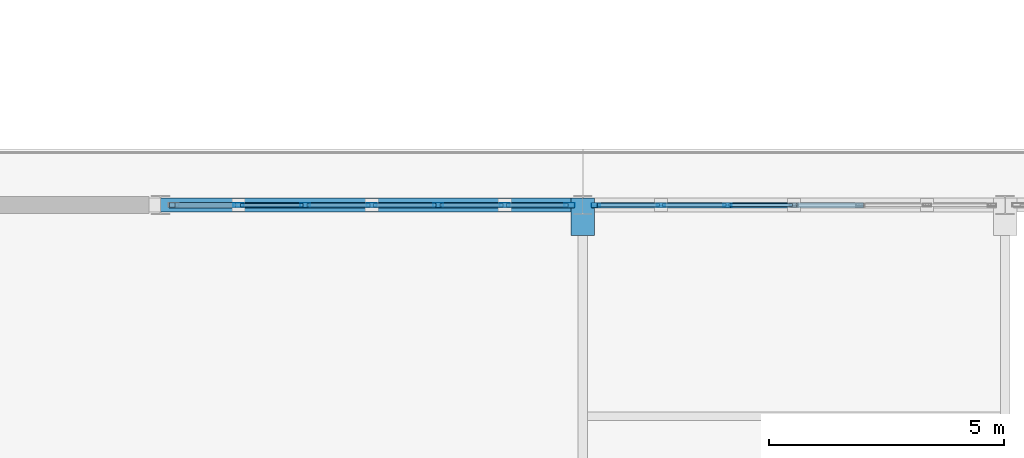
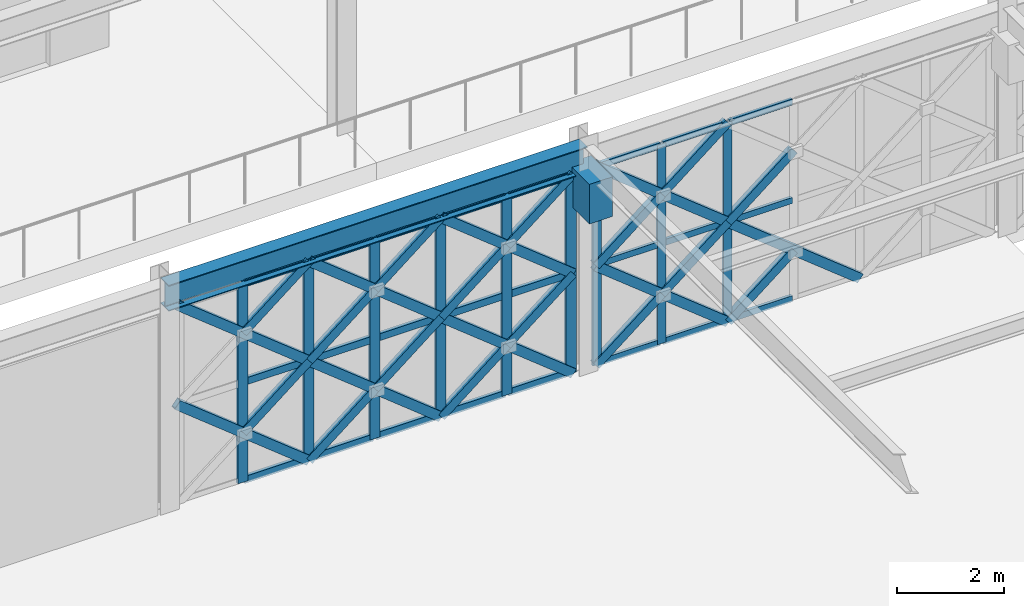
# One storey, part 88 of 140: 58 members, 2 beams, 2 elements without a shape of their own.
"""IFC4 building model written with IfcOpenShell, lengths in metres."""

from ifc_helpers import new_model, si_unit, direction, frame, origin, origin_2d, place, context, subcontext, project, spatial, rectangle, hollow_rectangle, i_section, extrude, material, material_profile, profile_set, type_object, element, aggregate, save


model = new_model("IFC4")

# Units and contexts
model_context = context("Model", 3, precision=1e-05, world=origin(), true_north=direction((0.0, 1.0)))
body_context = subcontext(model_context, "Body", "Model", "MODEL_VIEW")
ifc_project = project(units=[si_unit("LENGTHUNIT", "METRE"), si_unit("AREAUNIT", "SQUARE_METRE"), si_unit("VOLUMEUNIT", "CUBIC_METRE"), si_unit("PLANEANGLEUNIT", "RADIAN"), si_unit("MASSUNIT", "GRAM", prefix="KILO")], contexts=[model_context])

# Site, building, storey
site_placement = place(None, origin())
site = spatial("IfcSite", under=ifc_project, at=site_placement, CompositionType="ELEMENT")
building_placement = place(site_placement, origin())
building = spatial("IfcBuilding", under=site, at=building_placement, Name="Haizhuo Lancet Aquarium", CompositionType="ELEMENT")
storey_placement = place(building_placement, origin())
storey = spatial("IfcBuildingStorey", under=building, at=storey_placement, Name="L00", CompositionType="ELEMENT", Elevation=0.0)

# Beams
ifc_material_1 = material(Name="Concrete C40/50", Category="concrete")
ifc_material_profile_1 = material_profile(ifc_material_1, rectangle(XDim=0.5, YDim=0.89990234375, at=origin_2d()), Name="RC-BM 500x900")
ifc_profile_set_1 = profile_set([ifc_material_profile_1], Name="Concrete C40/50")
beam_type_1 = type_object("IfcBeamType", Name="BM-RC-500x900", PredefinedType="BEAM", material=ifc_profile_set_1)
beam_1_placement = place(storey_placement, frame((54.0, 9.14990234375, 4.205078125), z_axis=(0.0, -1.0, 0.0), x_axis=(1.0, 0.0, 0.0)))
element("IfcBeam", 1, at=beam_1_placement, inside=storey, type_object=beam_type_1, Name="Reinforced concrete bridge bearing corbel SB-02 1N", PredefinedType="BEAM", context=body_context, shape_type="SweptSolid", body=[
    extrude(rectangle(XDim=0.5, YDim=0.89990234375, at=origin_2d()), origin(), (0.0, 0.0, 1.0), 0.7998046875),
])
ifc_material_2 = material(Name="Steel S355", Category="steel")
ifc_material_profile_2 = material_profile(ifc_material_2, i_section(OverallWidth=0.300048828125, OverallDepth=0.587890625, WebThickness=0.011962890625, FlangeThickness=0.02001953125, FilletRadius=0.02587890625, at=origin_2d()), Name="HM 588x300x12x20")
ifc_profile_set_2 = profile_set([ifc_material_profile_2], Name="Steel S355")
beam_type_2 = type_object("IfcBeamType", Name="BM-ST-HM588", PredefinedType="BEAM", material=ifc_profile_set_2)
beam_2_placement = place(storey_placement, frame((45.0, 9.0, 4.825927734375), z_axis=(1.0, 0.0, 0.0), x_axis=(0.0, 1.0, 0.0)))
element("IfcBeam", 2, at=beam_2_placement, inside=storey, type_object=beam_type_2, Name="L00 V7 primary girder BM-L00-V7-007", PredefinedType="BEAM", context=body_context, shape_type="SweptSolid", body=[
    extrude(i_section(OverallWidth=0.300048828125, OverallDepth=0.587890625, WebThickness=0.011962890625, FlangeThickness=0.02001953125, FilletRadius=0.02587890625, at=origin_2d()), origin(), (0.0, 0.0, 1.0), 9.0),
])

# Curtain wall, members
ifc_material_3 = material(Name="Aluminium 6063-T6", Category="aluminium")
curtain_wall_type = type_object("IfcCurtainWallType", Name="CWO-8510x4530", PredefinedType="NOTDEFINED", material=ifc_material_3)
curtain_wall_1_placement = place(storey_placement, origin())
curtain_wall_1 = element("IfcCurtainWall", 3, at=curtain_wall_1_placement, inside=storey, type_object=curtain_wall_type, Name="L00 curtain wall CW-V7-L00-280", PredefinedType="NOTDEFINED")
ifc_material_profile_3 = material_profile(ifc_material_3, hollow_rectangle(XDim=0.06494140625, YDim=0.179931640625, WallThickness=0.00390625, at=origin_2d()), Name="ALU-M 65x180x4")
ifc_profile_set_3 = profile_set([ifc_material_profile_3], Name="Aluminium 6063-T6")
member_type_1 = type_object("IfcMemberType", Name="CW-MUL-1", PredefinedType="MULLION", material=ifc_profile_set_3)
member_1_placement = place(storey_placement, frame((57.08203125, 9.0, 0.0), z_axis=(0.0, 0.0, 1.0), x_axis=(0.0, -1.0, 0.0)))
member_1 = element("IfcMember", 4, at=member_1_placement, type_object=member_type_1, Name="CWO-85x45 mullion 5", PredefinedType="MULLION", context=body_context, shape_type="SweptSolid", body=[
    extrude(hollow_rectangle(XDim=0.06494140625, YDim=0.179931640625, WallThickness=0.00390625, at=origin_2d()), origin(), (0.0, 0.0, 1.0), 4.531982421875),
])
member_2_placement = place(storey_placement, frame((55.6630859375, 9.0, 0.0), z_axis=(0.0, 0.0, 1.0), x_axis=(0.0, -1.0, 0.0)))
member_2 = element("IfcMember", 5, at=member_2_placement, type_object=member_type_1, Name="CWO-85x45 mullion 6", PredefinedType="MULLION", context=body_context, shape_type="SweptSolid", body=[
    extrude(hollow_rectangle(XDim=0.06494140625, YDim=0.179931640625, WallThickness=0.00390625, at=origin_2d()), origin(), (0.0, 0.0, 1.0), 4.531982421875),
])
member_3_placement = place(storey_placement, frame((54.277099609375, 9.0, 0.0), z_axis=(0.0, 0.0, 1.0), x_axis=(0.0, -1.0, 0.0)))
member_3 = element("IfcMember", 6, at=member_3_placement, type_object=member_type_1, Name="CWO-85x45 mullion 7", PredefinedType="MULLION", context=body_context, shape_type="SweptSolid", body=[
    extrude(hollow_rectangle(XDim=0.06494140625, YDim=0.179931640625, WallThickness=0.00390625, at=origin_2d()), origin(), (0.0, 0.0, 1.0), 4.531982421875),
])

curtain_wall_2_placement = place(storey_placement, origin())
curtain_wall_2 = element("IfcCurtainWall", 7, at=curtain_wall_2_placement, inside=storey, type_object=curtain_wall_type, Name="L00 curtain wall CW-V7-L00-281", PredefinedType="NOTDEFINED")
ifc_material_profile_4 = material_profile(ifc_material_3, hollow_rectangle(XDim=0.074951171875, YDim=0.219970703125, WallThickness=0.0048828125, at=origin_2d()), Name="ALU-M 75x220x5")
ifc_profile_set_4 = profile_set([ifc_material_profile_4], Name="Aluminium 6063-T6")
member_type_2 = type_object("IfcMemberType", Name="CW-MUL-2", PredefinedType="MULLION", material=ifc_profile_set_4)
member_4_placement = place(storey_placement, frame((53.718017578125, 9.0, 0.0), z_axis=(0.0, 0.0, 1.0), x_axis=(0.0, -1.0, 0.0)))
member_4 = element("IfcMember", 8, at=member_4_placement, type_object=member_type_2, Name="CWO-85x45 mullion 1", PredefinedType="MULLION", context=body_context, shape_type="SweptSolid", body=[
    extrude(hollow_rectangle(XDim=0.074951171875, YDim=0.219970703125, WallThickness=0.0048828125, at=origin_2d()), origin(), (0.0, 0.0, 1.0), 4.531982421875),
])
member_5_placement = place(storey_placement, frame((52.3369140625, 9.0, 0.0), z_axis=(0.0, 0.0, 1.0), x_axis=(0.0, -1.0, 0.0)))
member_5 = element("IfcMember", 9, at=member_5_placement, type_object=member_type_2, Name="CWO-85x45 mullion 2", PredefinedType="MULLION", context=body_context, shape_type="SweptSolid", body=[
    extrude(hollow_rectangle(XDim=0.074951171875, YDim=0.219970703125, WallThickness=0.0048828125, at=origin_2d()), origin(), (0.0, 0.0, 1.0), 4.531982421875),
])
member_6_placement = place(storey_placement, frame((50.91796875, 9.0, 0.0), z_axis=(0.0, 0.0, 1.0), x_axis=(0.0, -1.0, 0.0)))
member_6 = element("IfcMember", 10, at=member_6_placement, type_object=member_type_2, Name="CWO-85x45 mullion 3", PredefinedType="MULLION", context=body_context, shape_type="SweptSolid", body=[
    extrude(hollow_rectangle(XDim=0.074951171875, YDim=0.219970703125, WallThickness=0.0048828125, at=origin_2d()), origin(), (0.0, 0.0, 1.0), 4.531982421875),
])
member_7_placement = place(storey_placement, frame((49.5, 9.0, 0.0), z_axis=(0.0, 0.0, 1.0), x_axis=(0.0, -1.0, 0.0)))
member_7 = element("IfcMember", 11, at=member_7_placement, type_object=member_type_2, Name="CWO-85x45 mullion 4", PredefinedType="MULLION", context=body_context, shape_type="SweptSolid", body=[
    extrude(hollow_rectangle(XDim=0.074951171875, YDim=0.219970703125, WallThickness=0.0048828125, at=origin_2d()), origin(), (0.0, 0.0, 1.0), 4.531982421875),
])
member_8_placement = place(storey_placement, frame((48.08203125, 9.0, 0.0), z_axis=(0.0, 0.0, 1.0), x_axis=(0.0, -1.0, 0.0)))
member_8 = element("IfcMember", 12, at=member_8_placement, type_object=member_type_2, Name="CWO-85x45 mullion 5", PredefinedType="MULLION", context=body_context, shape_type="SweptSolid", body=[
    extrude(hollow_rectangle(XDim=0.074951171875, YDim=0.219970703125, WallThickness=0.0048828125, at=origin_2d()), origin(), (0.0, 0.0, 1.0), 4.531982421875),
])
member_9_placement = place(storey_placement, frame((46.6630859375, 9.0, 0.0), z_axis=(0.0, 0.0, 1.0), x_axis=(0.0, -1.0, 0.0)))
member_9 = element("IfcMember", 13, at=member_9_placement, type_object=member_type_2, Name="CWO-85x45 mullion 6", PredefinedType="MULLION", context=body_context, shape_type="SweptSolid", body=[
    extrude(hollow_rectangle(XDim=0.074951171875, YDim=0.219970703125, WallThickness=0.0048828125, at=origin_2d()), origin(), (0.0, 0.0, 1.0), 4.531982421875),
])

# Member
ifc_material_profile_5 = material_profile(ifc_material_3, hollow_rectangle(XDim=0.06494140625, YDim=0.139892578125, WallThickness=0.00390625, at=origin_2d()), Name="ALU-T 65x140x4")
ifc_profile_set_5 = profile_set([ifc_material_profile_5], Name="Aluminium 6063-T6")
member_type_3 = type_object("IfcMemberType", Name="CW-TRN-1", PredefinedType="NOTDEFINED", material=ifc_profile_set_5)
member_10_placement = place(storey_placement, frame((58.468017578125, 9.0, 0.032958984375), z_axis=(-1.0, 0.0, 0.0), x_axis=(0.0, -1.0, 0.0)))
member_10 = element("IfcMember", 14, at=member_10_placement, type_object=member_type_3, Name="CWO-85x45 transom 4.1", ObjectType="TRANSOM", PredefinedType="USERDEFINED", context=body_context, shape_type="SweptSolid", body=[
    extrude(hollow_rectangle(XDim=0.06494140625, YDim=0.139892578125, WallThickness=0.00390625, at=origin_2d()), origin(), (0.0, 0.0, 1.0), 1.35400390625),
])

member_11_placement = place(storey_placement, frame((58.468017578125, 9.0, 2.26611328125), z_axis=(-1.0, 0.0, 0.0), x_axis=(0.0, -1.0, 0.0)))
member_11 = element("IfcMember", 15, at=member_11_placement, type_object=member_type_3, Name="CWO-85x45 transom 4.2", ObjectType="TRANSOM", PredefinedType="USERDEFINED", context=body_context, shape_type="SweptSolid", body=[
    extrude(hollow_rectangle(XDim=0.06494140625, YDim=0.139892578125, WallThickness=0.00390625, at=origin_2d()), origin(), (0.0, 0.0, 1.0), 1.35400390625),
])

member_12_placement = place(storey_placement, frame((58.468017578125, 9.0, 4.5), z_axis=(-1.0, 0.0, 0.0), x_axis=(0.0, -1.0, 0.0)))
member_12 = element("IfcMember", 16, at=member_12_placement, type_object=member_type_3, Name="CWO-85x45 transom 4.3", ObjectType="TRANSOM", PredefinedType="USERDEFINED", context=body_context, shape_type="SweptSolid", body=[
    extrude(hollow_rectangle(XDim=0.06494140625, YDim=0.139892578125, WallThickness=0.00390625, at=origin_2d()), origin(), (0.0, 0.0, 1.0), 1.35400390625),
])

member_13_placement = place(storey_placement, frame((57.049072265625, 9.0, 0.032958984375), z_axis=(-1.0, 0.0, 0.0), x_axis=(0.0, -1.0, 0.0)))
member_13 = element("IfcMember", 17, at=member_13_placement, type_object=member_type_3, Name="CWO-85x45 transom 5.1", ObjectType="TRANSOM", PredefinedType="USERDEFINED", context=body_context, shape_type="SweptSolid", body=[
    extrude(hollow_rectangle(XDim=0.06494140625, YDim=0.139892578125, WallThickness=0.00390625, at=origin_2d()), origin(), (0.0, 0.0, 1.0), 1.35302734375),
])

member_14_placement = place(storey_placement, frame((57.049072265625, 9.0, 2.26611328125), z_axis=(-1.0, 0.0, 0.0), x_axis=(0.0, -1.0, 0.0)))
member_14 = element("IfcMember", 18, at=member_14_placement, type_object=member_type_3, Name="CWO-85x45 transom 5.2", ObjectType="TRANSOM", PredefinedType="USERDEFINED", context=body_context, shape_type="SweptSolid", body=[
    extrude(hollow_rectangle(XDim=0.06494140625, YDim=0.139892578125, WallThickness=0.00390625, at=origin_2d()), origin(), (0.0, 0.0, 1.0), 1.35302734375),
])

member_15_placement = place(storey_placement, frame((57.049072265625, 9.0, 4.5), z_axis=(-1.0, 0.0, 0.0), x_axis=(0.0, -1.0, 0.0)))
member_15 = element("IfcMember", 19, at=member_15_placement, type_object=member_type_3, Name="CWO-85x45 transom 5.3", ObjectType="TRANSOM", PredefinedType="USERDEFINED", context=body_context, shape_type="SweptSolid", body=[
    extrude(hollow_rectangle(XDim=0.06494140625, YDim=0.139892578125, WallThickness=0.00390625, at=origin_2d()), origin(), (0.0, 0.0, 1.0), 1.35302734375),
])

member_16_placement = place(storey_placement, frame((55.631103515625, 9.0, 0.032958984375), z_axis=(-1.0, 0.0, 0.0), x_axis=(0.0, -1.0, 0.0)))
member_16 = element("IfcMember", 20, at=member_16_placement, type_object=member_type_3, Name="CWO-85x45 transom 6.1", ObjectType="TRANSOM", PredefinedType="USERDEFINED", context=body_context, shape_type="SweptSolid", body=[
    extrude(hollow_rectangle(XDim=0.06494140625, YDim=0.139892578125, WallThickness=0.00390625, at=origin_2d()), origin(), (0.0, 0.0, 1.0), 1.321044921875),
])

member_17_placement = place(storey_placement, frame((55.631103515625, 9.0, 2.26611328125), z_axis=(-1.0, 0.0, 0.0), x_axis=(0.0, -1.0, 0.0)))
member_17 = element("IfcMember", 21, at=member_17_placement, type_object=member_type_3, Name="CWO-85x45 transom 6.2", ObjectType="TRANSOM", PredefinedType="USERDEFINED", context=body_context, shape_type="SweptSolid", body=[
    extrude(hollow_rectangle(XDim=0.06494140625, YDim=0.139892578125, WallThickness=0.00390625, at=origin_2d()), origin(), (0.0, 0.0, 1.0), 1.321044921875),
])

member_18_placement = place(storey_placement, frame((55.631103515625, 9.0, 4.5), z_axis=(-1.0, 0.0, 0.0), x_axis=(0.0, -1.0, 0.0)))
member_18 = element("IfcMember", 22, at=member_18_placement, type_object=member_type_3, Name="CWO-85x45 transom 6.3", ObjectType="TRANSOM", PredefinedType="USERDEFINED", context=body_context, shape_type="SweptSolid", body=[
    extrude(hollow_rectangle(XDim=0.06494140625, YDim=0.139892578125, WallThickness=0.00390625, at=origin_2d()), origin(), (0.0, 0.0, 1.0), 1.321044921875),
])

aggregate(curtain_wall_1, [member_1, member_2, member_3, member_10, member_11, member_12, member_13, member_14, member_15, member_16, member_17, member_18])

ifc_material_profile_6 = material_profile(ifc_material_3, hollow_rectangle(XDim=0.074951171875, YDim=0.159912109375, WallThickness=0.00390625, at=origin_2d()), Name="ALU-T 75x160x4")
ifc_profile_set_6 = profile_set([ifc_material_profile_6], Name="Aluminium 6063-T6")
member_type_4 = type_object("IfcMemberType", Name="CW-TRN-2", PredefinedType="NOTDEFINED", material=ifc_profile_set_6)
member_19_placement = place(storey_placement, frame((53.679931640625, 9.0, 0.037109375), z_axis=(-1.0, 0.0, 0.0), x_axis=(0.0, -1.0, 0.0)))
member_19 = element("IfcMember", 23, at=member_19_placement, type_object=member_type_4, Name="CWO-85x45 transom 1.1", ObjectType="TRANSOM", PredefinedType="USERDEFINED", context=body_context, shape_type="SweptSolid", body=[
    extrude(hollow_rectangle(XDim=0.074951171875, YDim=0.159912109375, WallThickness=0.00390625, at=origin_2d()), origin(), (0.0, 0.0, 1.0), 1.305908203125),
])

member_20_placement = place(storey_placement, frame((53.679931640625, 9.0, 2.26611328125), z_axis=(-1.0, 0.0, 0.0), x_axis=(0.0, -1.0, 0.0)))
member_20 = element("IfcMember", 24, at=member_20_placement, type_object=member_type_4, Name="CWO-85x45 transom 1.2", ObjectType="TRANSOM", PredefinedType="USERDEFINED", context=body_context, shape_type="SweptSolid", body=[
    extrude(hollow_rectangle(XDim=0.074951171875, YDim=0.159912109375, WallThickness=0.00390625, at=origin_2d()), origin(), (0.0, 0.0, 1.0), 1.305908203125),
])

member_21_placement = place(storey_placement, frame((53.679931640625, 9.0, 4.4951171875), z_axis=(-1.0, 0.0, 0.0), x_axis=(0.0, -1.0, 0.0)))
member_21 = element("IfcMember", 25, at=member_21_placement, type_object=member_type_4, Name="CWO-85x45 transom 1.3", ObjectType="TRANSOM", PredefinedType="USERDEFINED", context=body_context, shape_type="SweptSolid", body=[
    extrude(hollow_rectangle(XDim=0.074951171875, YDim=0.159912109375, WallThickness=0.00390625, at=origin_2d()), origin(), (0.0, 0.0, 1.0), 1.305908203125),
])

member_22_placement = place(storey_placement, frame((52.299072265625, 9.0, 0.037109375), z_axis=(-1.0, 0.0, 0.0), x_axis=(0.0, -1.0, 0.0)))
member_22 = element("IfcMember", 26, at=member_22_placement, type_object=member_type_4, Name="CWO-85x45 transom 2.1", ObjectType="TRANSOM", PredefinedType="USERDEFINED", context=body_context, shape_type="SweptSolid", body=[
    extrude(hollow_rectangle(XDim=0.074951171875, YDim=0.159912109375, WallThickness=0.00390625, at=origin_2d()), origin(), (0.0, 0.0, 1.0), 1.343017578125),
])

member_23_placement = place(storey_placement, frame((52.299072265625, 9.0, 2.26611328125), z_axis=(-1.0, 0.0, 0.0), x_axis=(0.0, -1.0, 0.0)))
member_23 = element("IfcMember", 27, at=member_23_placement, type_object=member_type_4, Name="CWO-85x45 transom 2.2", ObjectType="TRANSOM", PredefinedType="USERDEFINED", context=body_context, shape_type="SweptSolid", body=[
    extrude(hollow_rectangle(XDim=0.074951171875, YDim=0.159912109375, WallThickness=0.00390625, at=origin_2d()), origin(), (0.0, 0.0, 1.0), 1.343017578125),
])

member_24_placement = place(storey_placement, frame((52.299072265625, 9.0, 4.4951171875), z_axis=(-1.0, 0.0, 0.0), x_axis=(0.0, -1.0, 0.0)))
member_24 = element("IfcMember", 28, at=member_24_placement, type_object=member_type_4, Name="CWO-85x45 transom 2.3", ObjectType="TRANSOM", PredefinedType="USERDEFINED", context=body_context, shape_type="SweptSolid", body=[
    extrude(hollow_rectangle(XDim=0.074951171875, YDim=0.159912109375, WallThickness=0.00390625, at=origin_2d()), origin(), (0.0, 0.0, 1.0), 1.343017578125),
])

member_25_placement = place(storey_placement, frame((50.881103515625, 9.0, 0.037109375), z_axis=(-1.0, 0.0, 0.0), x_axis=(0.0, -1.0, 0.0)))
member_25 = element("IfcMember", 29, at=member_25_placement, type_object=member_type_4, Name="CWO-85x45 transom 3.1", ObjectType="TRANSOM", PredefinedType="USERDEFINED", context=body_context, shape_type="SweptSolid", body=[
    extrude(hollow_rectangle(XDim=0.074951171875, YDim=0.159912109375, WallThickness=0.00390625, at=origin_2d()), origin(), (0.0, 0.0, 1.0), 1.343017578125),
])

member_26_placement = place(storey_placement, frame((50.881103515625, 9.0, 2.26611328125), z_axis=(-1.0, 0.0, 0.0), x_axis=(0.0, -1.0, 0.0)))
member_26 = element("IfcMember", 30, at=member_26_placement, type_object=member_type_4, Name="CWO-85x45 transom 3.2", ObjectType="TRANSOM", PredefinedType="USERDEFINED", context=body_context, shape_type="SweptSolid", body=[
    extrude(hollow_rectangle(XDim=0.074951171875, YDim=0.159912109375, WallThickness=0.00390625, at=origin_2d()), origin(), (0.0, 0.0, 1.0), 1.343017578125),
])

member_27_placement = place(storey_placement, frame((50.881103515625, 9.0, 4.4951171875), z_axis=(-1.0, 0.0, 0.0), x_axis=(0.0, -1.0, 0.0)))
member_27 = element("IfcMember", 31, at=member_27_placement, type_object=member_type_4, Name="CWO-85x45 transom 3.3", ObjectType="TRANSOM", PredefinedType="USERDEFINED", context=body_context, shape_type="SweptSolid", body=[
    extrude(hollow_rectangle(XDim=0.074951171875, YDim=0.159912109375, WallThickness=0.00390625, at=origin_2d()), origin(), (0.0, 0.0, 1.0), 1.343017578125),
])

member_28_placement = place(storey_placement, frame((49.4619140625, 9.0, 0.037109375), z_axis=(-1.0, 0.0, 0.0), x_axis=(0.0, -1.0, 0.0)))
member_28 = element("IfcMember", 32, at=member_28_placement, type_object=member_type_4, Name="CWO-85x45 transom 4.1", ObjectType="TRANSOM", PredefinedType="USERDEFINED", context=body_context, shape_type="SweptSolid", body=[
    extrude(hollow_rectangle(XDim=0.074951171875, YDim=0.159912109375, WallThickness=0.00390625, at=origin_2d()), origin(), (0.0, 0.0, 1.0), 1.343017578125),
])

member_29_placement = place(storey_placement, frame((49.4619140625, 9.0, 2.26611328125), z_axis=(-1.0, 0.0, 0.0), x_axis=(0.0, -1.0, 0.0)))
member_29 = element("IfcMember", 33, at=member_29_placement, type_object=member_type_4, Name="CWO-85x45 transom 4.2", ObjectType="TRANSOM", PredefinedType="USERDEFINED", context=body_context, shape_type="SweptSolid", body=[
    extrude(hollow_rectangle(XDim=0.074951171875, YDim=0.159912109375, WallThickness=0.00390625, at=origin_2d()), origin(), (0.0, 0.0, 1.0), 1.343017578125),
])

member_30_placement = place(storey_placement, frame((49.4619140625, 9.0, 4.4951171875), z_axis=(-1.0, 0.0, 0.0), x_axis=(0.0, -1.0, 0.0)))
member_30 = element("IfcMember", 34, at=member_30_placement, type_object=member_type_4, Name="CWO-85x45 transom 4.3", ObjectType="TRANSOM", PredefinedType="USERDEFINED", context=body_context, shape_type="SweptSolid", body=[
    extrude(hollow_rectangle(XDim=0.074951171875, YDim=0.159912109375, WallThickness=0.00390625, at=origin_2d()), origin(), (0.0, 0.0, 1.0), 1.343017578125),
])

member_31_placement = place(storey_placement, frame((48.0439453125, 9.0, 0.037109375), z_axis=(-1.0, 0.0, 0.0), x_axis=(0.0, -1.0, 0.0)))
member_31 = element("IfcMember", 35, at=member_31_placement, type_object=member_type_4, Name="CWO-85x45 transom 5.1", ObjectType="TRANSOM", PredefinedType="USERDEFINED", context=body_context, shape_type="SweptSolid", body=[
    extrude(hollow_rectangle(XDim=0.074951171875, YDim=0.159912109375, WallThickness=0.00390625, at=origin_2d()), origin(), (0.0, 0.0, 1.0), 1.343017578125),
])

member_32_placement = place(storey_placement, frame((48.0439453125, 9.0, 2.26611328125), z_axis=(-1.0, 0.0, 0.0), x_axis=(0.0, -1.0, 0.0)))
member_32 = element("IfcMember", 36, at=member_32_placement, type_object=member_type_4, Name="CWO-85x45 transom 5.2", ObjectType="TRANSOM", PredefinedType="USERDEFINED", context=body_context, shape_type="SweptSolid", body=[
    extrude(hollow_rectangle(XDim=0.074951171875, YDim=0.159912109375, WallThickness=0.00390625, at=origin_2d()), origin(), (0.0, 0.0, 1.0), 1.343017578125),
])

member_33_placement = place(storey_placement, frame((48.0439453125, 9.0, 4.4951171875), z_axis=(-1.0, 0.0, 0.0), x_axis=(0.0, -1.0, 0.0)))
member_33 = element("IfcMember", 37, at=member_33_placement, type_object=member_type_4, Name="CWO-85x45 transom 5.3", ObjectType="TRANSOM", PredefinedType="USERDEFINED", context=body_context, shape_type="SweptSolid", body=[
    extrude(hollow_rectangle(XDim=0.074951171875, YDim=0.159912109375, WallThickness=0.00390625, at=origin_2d()), origin(), (0.0, 0.0, 1.0), 1.343017578125),
])

aggregate(curtain_wall_2, [member_4, member_5, member_6, member_7, member_8, member_9, member_19, member_20, member_21, member_22, member_23, member_24, member_25, member_26, member_27, member_28, member_29, member_30, member_31, member_32, member_33])

# Members
ifc_material_profile_7 = material_profile(ifc_material_2, hollow_rectangle(XDim=0.1201171875, YDim=0.199951171875, WallThickness=0.008056640625, at=origin_2d()), Name="RHS 120x200x8")
ifc_profile_set_7 = profile_set([ifc_material_profile_7], Name="Steel S355")
member_type_5 = type_object("IfcMemberType", Name="MEM-LB-RHS120x200", PredefinedType="BRACE", material=ifc_profile_set_7)
member_34_placement = place(storey_placement, frame((59.91796875, 9.0, 0.0), z_axis=(-0.781222997842, 0.0, 0.624252054577), x_axis=(0.0, -1.0, 0.0)))
element("IfcMember", 38, at=member_34_placement, inside=storey, type_object=member_type_5, Name="Gothic lancet continuous diagonal brace CW-V7-L00-280 3A", PredefinedType="BRACE", context=body_context, shape_type="SweptSolid", body=[
    extrude(hollow_rectangle(XDim=0.1201171875, YDim=0.199951171875, WallThickness=0.008056640625, at=origin_2d()), origin(), (0.0, 0.0, 1.0), 3.630126953125),
])
for number, where, z_axis, x_axis, name in (
    (39, (57.08203125, 9.0, 0.0), (0.781222997842, 0.0, 0.624252054577), (0.0, 1.0, 0.0), "Gothic lancet split diagonal brace CW-V7-L00-280 3B1"),
    (40, (57.08203125, 9.0, 2.26611328125), (0.78128859595, 0.0, 0.624169952688), (0.0, 1.0, 0.0), "Gothic lancet split diagonal brace CW-V7-L00-280 4B1"),
):
    element("IfcMember", number, at=place(storey_placement, frame(where, z_axis=z_axis, x_axis=x_axis)), inside=storey, type_object=member_type_5, Name=name, PredefinedType="BRACE", context=body_context, shape_type="SweptSolid", body=[
        extrude(hollow_rectangle(XDim=0.1201171875, YDim=0.199951171875, WallThickness=0.008056640625, at=origin_2d()), origin(), (0.0, 0.0, 1.0), 1.81494140625),
    ])
member_35_placement = place(storey_placement, frame((57.08203125, 9.0, 0.0), z_axis=(-0.781327797887, 0.0, 0.624120879517), x_axis=(0.0, -1.0, 0.0)))
element("IfcMember", 41, at=member_35_placement, inside=storey, type_object=member_type_5, Name="Gothic lancet continuous diagonal brace CW-V7-L00-280 5A", PredefinedType="BRACE", context=body_context, shape_type="SweptSolid", body=[
    extrude(hollow_rectangle(XDim=0.1201171875, YDim=0.199951171875, WallThickness=0.008056640625, at=origin_2d()), origin(), (0.0, 0.0, 1.0), 3.630859375),
])
member_36_placement = place(storey_placement, frame((54.2451171875, 9.0, 0.0), z_axis=(0.781222997842, 0.0, 0.624252054577), x_axis=(0.0, 1.0, 0.0)))
element("IfcMember", 42, at=member_36_placement, inside=storey, type_object=member_type_5, Name="Gothic lancet split diagonal brace CW-V7-L00-280 5B1", PredefinedType="BRACE", context=body_context, shape_type="SweptSolid", body=[
    extrude(hollow_rectangle(XDim=0.1201171875, YDim=0.199951171875, WallThickness=0.008056640625, at=origin_2d()), origin(), (0.0, 0.0, 1.0), 1.81494140625),
])
member_37_placement = place(storey_placement, frame((55.6630859375, 9.0, 1.133056640625), z_axis=(0.781432531883, 0.0, 0.623989741994), x_axis=(0.0, 1.0, 0.0)))
element("IfcMember", 43, at=member_37_placement, inside=storey, type_object=member_type_5, Name="Gothic lancet split diagonal brace CW-V7-L00-280 5B2", PredefinedType="BRACE", context=body_context, shape_type="SweptSolid", body=[
    extrude(hollow_rectangle(XDim=0.1201171875, YDim=0.199951171875, WallThickness=0.008056640625, at=origin_2d()), origin(), (0.0, 0.0, 1.0), 1.81591796875),
])
member_38_placement = place(storey_placement, frame((57.08203125, 9.0, 2.26611328125), z_axis=(-0.781360587257, 0.0, 0.624079828772), x_axis=(0.0, -1.0, 0.0)))
element("IfcMember", 44, at=member_38_placement, inside=storey, type_object=member_type_5, Name="Gothic lancet continuous diagonal brace CW-V7-L00-280 6A", PredefinedType="BRACE", context=body_context, shape_type="SweptSolid", body=[
    extrude(hollow_rectangle(XDim=0.1201171875, YDim=0.199951171875, WallThickness=0.008056640625, at=origin_2d()), origin(), (0.0, 0.0, 1.0), 3.630615234375),
])
member_39_placement = place(storey_placement, frame((54.2451171875, 9.0, 2.26611328125), z_axis=(0.78128859595, 0.0, 0.624169952688), x_axis=(0.0, 1.0, 0.0)))
element("IfcMember", 45, at=member_39_placement, inside=storey, type_object=member_type_5, Name="Gothic lancet split diagonal brace CW-V7-L00-280 6B1", PredefinedType="BRACE", context=body_context, shape_type="SweptSolid", body=[
    extrude(hollow_rectangle(XDim=0.1201171875, YDim=0.199951171875, WallThickness=0.008056640625, at=origin_2d()), origin(), (0.0, 0.0, 1.0), 1.81494140625),
])
member_40_placement = place(storey_placement, frame((55.6630859375, 9.0, 3.39892578125), z_axis=(0.781432531883, 0.0, 0.623989741994), x_axis=(0.0, 1.0, 0.0)))
element("IfcMember", 46, at=member_40_placement, inside=storey, type_object=member_type_5, Name="Gothic lancet split diagonal brace CW-V7-L00-280 6B2", PredefinedType="BRACE", context=body_context, shape_type="SweptSolid", body=[
    extrude(hollow_rectangle(XDim=0.1201171875, YDim=0.199951171875, WallThickness=0.008056640625, at=origin_2d()), origin(), (0.0, 0.0, 1.0), 1.81591796875),
])
member_41_placement = place(storey_placement, frame((53.7548828125, 9.0, 0.0), z_axis=(-0.781327797887, 0.0, 0.624120879517), x_axis=(0.0, -1.0, 0.0)))
element("IfcMember", 47, at=member_41_placement, inside=storey, type_object=member_type_5, Name="Gothic lancet continuous diagonal brace CW-V7-L00-281 1A", PredefinedType="BRACE", context=body_context, shape_type="SweptSolid", body=[
    extrude(hollow_rectangle(XDim=0.1201171875, YDim=0.199951171875, WallThickness=0.008056640625, at=origin_2d()), origin(), (0.0, 0.0, 1.0), 3.630859375),
])
member_42_placement = place(storey_placement, frame((50.91796875, 9.0, 0.0), z_axis=(0.781432531883, 0.0, 0.623989741994), x_axis=(0.0, 1.0, 0.0)))
element("IfcMember", 48, at=member_42_placement, inside=storey, type_object=member_type_5, Name="Gothic lancet split diagonal brace CW-V7-L00-281 1B1", PredefinedType="BRACE", context=body_context, shape_type="SweptSolid", body=[
    extrude(hollow_rectangle(XDim=0.1201171875, YDim=0.199951171875, WallThickness=0.008056640625, at=origin_2d()), origin(), (0.0, 0.0, 1.0), 1.81591796875),
])
member_43_placement = place(storey_placement, frame((52.3369140625, 9.0, 1.133056640625), z_axis=(0.781222997842, 0.0, 0.624252054577), x_axis=(0.0, 1.0, 0.0)))
element("IfcMember", 49, at=member_43_placement, inside=storey, type_object=member_type_5, Name="Gothic lancet split diagonal brace CW-V7-L00-281 1B2", PredefinedType="BRACE", context=body_context, shape_type="SweptSolid", body=[
    extrude(hollow_rectangle(XDim=0.1201171875, YDim=0.199951171875, WallThickness=0.008056640625, at=origin_2d()), origin(), (0.0, 0.0, 1.0), 1.81494140625),
])
member_44_placement = place(storey_placement, frame((53.7548828125, 9.0, 2.26611328125), z_axis=(-0.781360587257, 0.0, 0.624079828772), x_axis=(0.0, -1.0, 0.0)))
element("IfcMember", 50, at=member_44_placement, inside=storey, type_object=member_type_5, Name="Gothic lancet continuous diagonal brace CW-V7-L00-281 2A", PredefinedType="BRACE", context=body_context, shape_type="SweptSolid", body=[
    extrude(hollow_rectangle(XDim=0.1201171875, YDim=0.199951171875, WallThickness=0.008056640625, at=origin_2d()), origin(), (0.0, 0.0, 1.0), 3.630615234375),
])
member_45_placement = place(storey_placement, frame((50.91796875, 9.0, 2.26611328125), z_axis=(0.781498092447, 0.0, 0.623907630584), x_axis=(0.0, 1.0, 0.0)))
element("IfcMember", 51, at=member_45_placement, inside=storey, type_object=member_type_5, Name="Gothic lancet split diagonal brace CW-V7-L00-281 2B1", PredefinedType="BRACE", context=body_context, shape_type="SweptSolid", body=[
    extrude(hollow_rectangle(XDim=0.1201171875, YDim=0.199951171875, WallThickness=0.008056640625, at=origin_2d()), origin(), (0.0, 0.0, 1.0), 1.815673828125),
])
member_46_placement = place(storey_placement, frame((52.3369140625, 9.0, 3.39892578125), z_axis=(0.781222997842, 0.0, 0.624252054577), x_axis=(0.0, 1.0, 0.0)))
element("IfcMember", 52, at=member_46_placement, inside=storey, type_object=member_type_5, Name="Gothic lancet split diagonal brace CW-V7-L00-281 2B2", PredefinedType="BRACE", context=body_context, shape_type="SweptSolid", body=[
    extrude(hollow_rectangle(XDim=0.1201171875, YDim=0.199951171875, WallThickness=0.008056640625, at=origin_2d()), origin(), (0.0, 0.0, 1.0), 1.81494140625),
])
member_47_placement = place(storey_placement, frame((50.91796875, 9.0, 0.0), z_axis=(-0.781222997842, 0.0, 0.624252054577), x_axis=(0.0, -1.0, 0.0)))
element("IfcMember", 53, at=member_47_placement, inside=storey, type_object=member_type_5, Name="Gothic lancet continuous diagonal brace CW-V7-L00-281 3A", PredefinedType="BRACE", context=body_context, shape_type="SweptSolid", body=[
    extrude(hollow_rectangle(XDim=0.1201171875, YDim=0.199951171875, WallThickness=0.008056640625, at=origin_2d()), origin(), (0.0, 0.0, 1.0), 3.630126953125),
])
for number, where, z_axis, x_axis, name in (
    (54, (48.08203125, 9.0, 0.0), (0.781222997842, 0.0, 0.624252054577), (0.0, 1.0, 0.0), "Gothic lancet split diagonal brace CW-V7-L00-281 3B1"),
    (55, (49.5, 9.0, 1.133056640625), (0.781222997842, 0.0, 0.624252054577), (0.0, 1.0, 0.0), "Gothic lancet split diagonal brace CW-V7-L00-281 3B2"),
):
    element("IfcMember", number, at=place(storey_placement, frame(where, z_axis=z_axis, x_axis=x_axis)), inside=storey, type_object=member_type_5, Name=name, PredefinedType="BRACE", context=body_context, shape_type="SweptSolid", body=[
        extrude(hollow_rectangle(XDim=0.1201171875, YDim=0.199951171875, WallThickness=0.008056640625, at=origin_2d()), origin(), (0.0, 0.0, 1.0), 1.81494140625),
    ])
member_48_placement = place(storey_placement, frame((50.91796875, 9.0, 2.26611328125), z_axis=(-0.781255796597, 0.0, 0.624211006217), x_axis=(0.0, -1.0, 0.0)))
element("IfcMember", 56, at=member_48_placement, inside=storey, type_object=member_type_5, Name="Gothic lancet continuous diagonal brace CW-V7-L00-281 4A", PredefinedType="BRACE", context=body_context, shape_type="SweptSolid", body=[
    extrude(hollow_rectangle(XDim=0.1201171875, YDim=0.199951171875, WallThickness=0.008056640625, at=origin_2d()), origin(), (0.0, 0.0, 1.0), 3.6298828125),
])
for number, where, z_axis, x_axis, name in (
    (57, (48.08203125, 9.0, 2.26611328125), (0.78128859595, 0.0, 0.624169952688), (0.0, 1.0, 0.0), "Gothic lancet split diagonal brace CW-V7-L00-281 4B1"),
    (58, (49.5, 9.0, 3.39892578125), (0.781222997842, 0.0, 0.624252054577), (0.0, 1.0, 0.0), "Gothic lancet split diagonal brace CW-V7-L00-281 4B2"),
):
    element("IfcMember", number, at=place(storey_placement, frame(where, z_axis=z_axis, x_axis=x_axis)), inside=storey, type_object=member_type_5, Name=name, PredefinedType="BRACE", context=body_context, shape_type="SweptSolid", body=[
        extrude(hollow_rectangle(XDim=0.1201171875, YDim=0.199951171875, WallThickness=0.008056640625, at=origin_2d()), origin(), (0.0, 0.0, 1.0), 1.81494140625),
    ])
member_49_placement = place(storey_placement, frame((48.08203125, 9.0, 0.0), z_axis=(-0.781327797887, 0.0, 0.624120879517), x_axis=(0.0, -1.0, 0.0)))
element("IfcMember", 59, at=member_49_placement, inside=storey, type_object=member_type_5, Name="Gothic lancet continuous diagonal brace CW-V7-L00-281 5A", PredefinedType="BRACE", context=body_context, shape_type="SweptSolid", body=[
    extrude(hollow_rectangle(XDim=0.1201171875, YDim=0.199951171875, WallThickness=0.008056640625, at=origin_2d()), origin(), (0.0, 0.0, 1.0), 3.630859375),
])
member_50_placement = place(storey_placement, frame((46.6630859375, 9.0, 1.133056640625), z_axis=(0.781432531883, 0.0, 0.623989741994), x_axis=(0.0, 1.0, 0.0)))
element("IfcMember", 60, at=member_50_placement, inside=storey, type_object=member_type_5, Name="Gothic lancet split diagonal brace CW-V7-L00-281 5B2", PredefinedType="BRACE", context=body_context, shape_type="SweptSolid", body=[
    extrude(hollow_rectangle(XDim=0.1201171875, YDim=0.199951171875, WallThickness=0.008056640625, at=origin_2d()), origin(), (0.0, 0.0, 1.0), 1.81591796875),
])
member_51_placement = place(storey_placement, frame((48.08203125, 9.0, 2.26611328125), z_axis=(-0.781360587257, 0.0, 0.624079828772), x_axis=(0.0, -1.0, 0.0)))
element("IfcMember", 61, at=member_51_placement, inside=storey, type_object=member_type_5, Name="Gothic lancet continuous diagonal brace CW-V7-L00-281 6A", PredefinedType="BRACE", context=body_context, shape_type="SweptSolid", body=[
    extrude(hollow_rectangle(XDim=0.1201171875, YDim=0.199951171875, WallThickness=0.008056640625, at=origin_2d()), origin(), (0.0, 0.0, 1.0), 3.630615234375),
])
member_52_placement = place(storey_placement, frame((46.6630859375, 9.0, 3.39892578125), z_axis=(0.781432531883, 0.0, 0.623989741994), x_axis=(0.0, 1.0, 0.0)))
element("IfcMember", 62, at=member_52_placement, inside=storey, type_object=member_type_5, Name="Gothic lancet split diagonal brace CW-V7-L00-281 6B2", PredefinedType="BRACE", context=body_context, shape_type="SweptSolid", body=[
    extrude(hollow_rectangle(XDim=0.1201171875, YDim=0.199951171875, WallThickness=0.008056640625, at=origin_2d()), origin(), (0.0, 0.0, 1.0), 1.81591796875),
])

save(model, "model.ifc")
